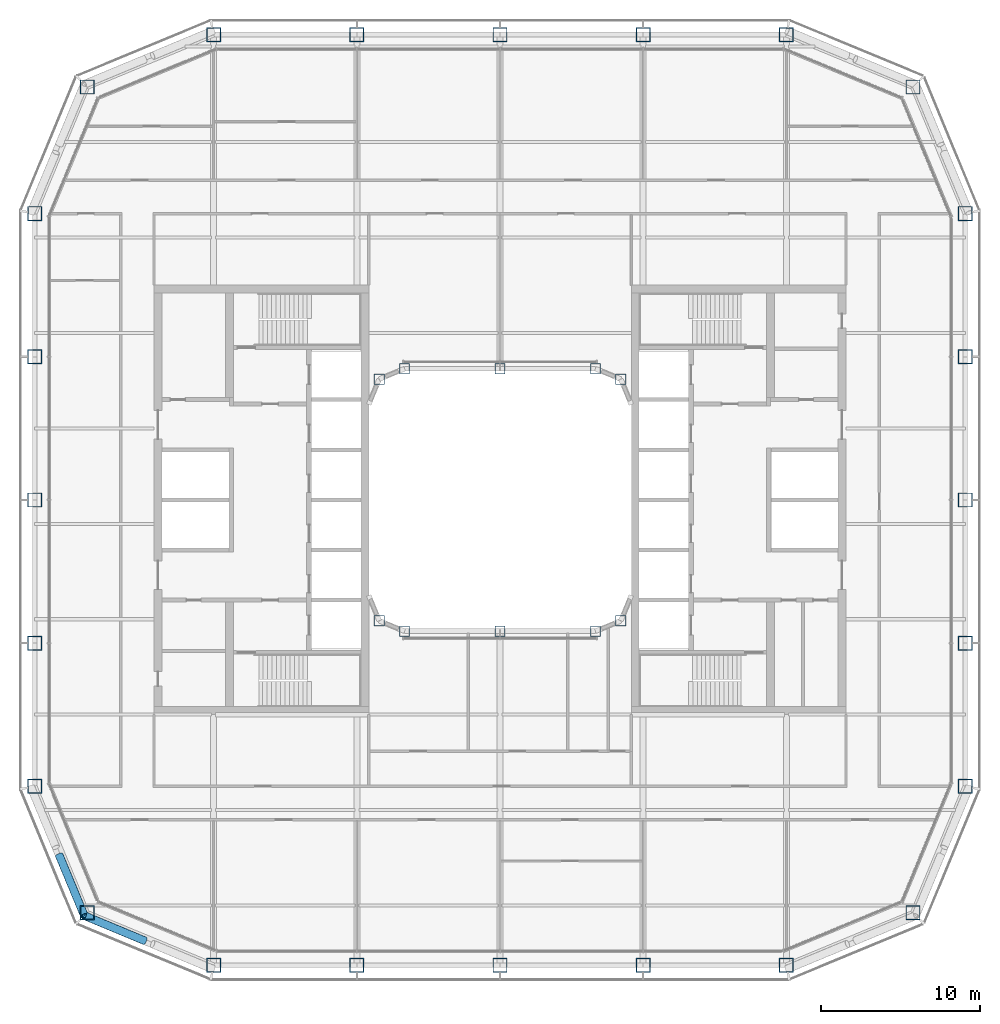
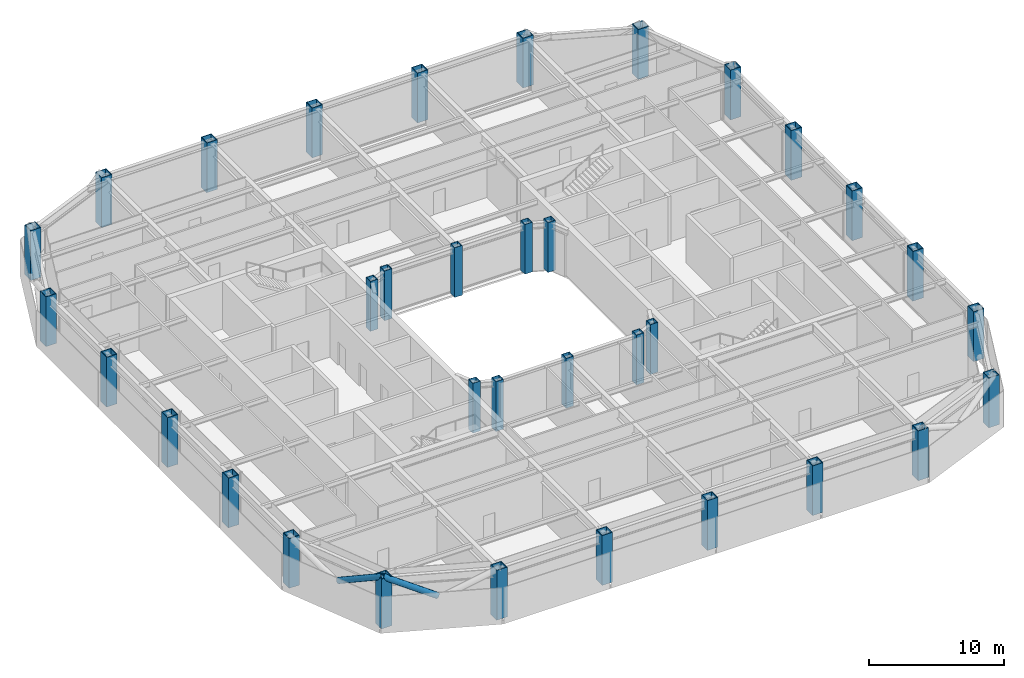
# One storey, part 1 of 21: 34 columns, 2 members.
"""IFC4 building model written with IfcOpenShell, lengths in metres."""

import ifcopenshell
import ifcopenshell.guid

model = None  # the IFC model being written
_history = None  # IfcOwnerHistory: only IFC2X3 demands one
_inside = {}  # id of a spatial element -> (the spatial element, [elements in it])
_under = {}  # id of a project, library or spatial element -> (it, [spatial elements below it])
_declared = {}  # id of a project -> (the project, [libraries it declares])
_typed = {}  # id of a type object -> (the type object, [elements of that type])
_made_of = {}  # id of a material, layer set ... -> (it, [elements and type objects made of it])


def new_model(schema):
    """Start an empty IFC model of exactly this schema.

    Asked for "IFC4X3", IfcOpenShell would pick the latest addendum, in which some entities
    have other attributes; the version numbers below select the first issue.
    IFC2X3 requires an IfcOwnerHistory on every rooted entity: one is made here for all.
    """
    global model, _history
    if schema == "IFC4X3":
        model = ifcopenshell.file(schema_version=(4, 3, 0, 0))
    else:
        model = ifcopenshell.file(schema=schema)
    _inside.clear()
    _under.clear()
    _declared.clear()
    _typed.clear()
    _made_of.clear()
    _history = None
    if model.schema == "IFC2X3":
        org = make("IfcOrganization", Name="unknown")
        user = make(
            "IfcPersonAndOrganization",
            ThePerson=make("IfcPerson", FamilyName="unknown"),
            TheOrganization=org,
        )
        app = make(
            "IfcApplication",
            ApplicationDeveloper=org,
            Version="unknown",
            ApplicationFullName="unknown",
            ApplicationIdentifier="unknown",
        )
        _history = make(
            "IfcOwnerHistory",
            OwningUser=user,
            OwningApplication=app,
            ChangeAction="ADDED",
            CreationDate=0,
        )
    return model


def make(cls, **values):
    """One entity of the class cls with the attributes given. An attribute that is None is left unset."""
    return model.create_entity(
        cls, **{name: value for name, value in values.items() if value is not None}
    )


def rooted(cls, **values):
    """An entity with a GlobalId (a new one), such as an element, a storey or a relation."""
    return make(cls, GlobalId=ifcopenshell.guid.new(), OwnerHistory=_history, **values)


def si_unit(unit_type, name, prefix=None):
    """IfcSIUnit, for example si_unit("LENGTHUNIT", "METRE", prefix="MILLI")."""
    return make("IfcSIUnit", UnitType=unit_type, Prefix=prefix, Name=name)


def assignment(units):
    """IfcUnitAssignment: the units of a project."""
    return None if units is None else make("IfcUnitAssignment", Units=units)


def point(xyz):
    """IfcCartesianPoint."""
    return None if xyz is None else make("IfcCartesianPoint", Coordinates=xyz)


def direction(xyz):
    """IfcDirection."""
    return None if xyz is None else make("IfcDirection", DirectionRatios=xyz)


def frame(location, z_axis=None, x_axis=None):
    """IfcAxis2Placement3D, a coordinate frame: its origin and axes. An axis left out is left unset."""
    return make(
        "IfcAxis2Placement3D",
        Location=point(location),
        Axis=direction(z_axis),
        RefDirection=direction(x_axis),
    )


def frame_2d(location, x_axis=None):
    """IfcAxis2Placement2D, a coordinate frame in the plane: its origin and x axis."""
    return make(
        "IfcAxis2Placement2D", Location=point(location), RefDirection=direction(x_axis)
    )


def origin():
    """The frame at (0, 0, 0) with its axes left unset."""
    return frame((0.0, 0.0, 0.0))


def origin_2d():
    """The frame at (0, 0) in the plane with its x axis left unset."""
    return frame_2d((0.0, 0.0))


def place(relative_to, where):
    """IfcLocalPlacement: puts the frame where relative to a parent placement (None: the world)."""
    return make(
        "IfcLocalPlacement", PlacementRelTo=relative_to, RelativePlacement=where
    )


def context(
    kind, dimensions, precision=None, world=None, true_north=None, identifier=None
):
    """IfcGeometricRepresentationContext, for example the 3D "Model" context."""
    return make(
        "IfcGeometricRepresentationContext",
        ContextIdentifier=identifier,
        ContextType=kind,
        CoordinateSpaceDimension=dimensions,
        Precision=precision,
        WorldCoordinateSystem=world,
        TrueNorth=true_north,
    )


def subcontext(parent, identifier, kind, view, scale=None):
    """IfcGeometricRepresentationSubContext, for example "Body" below "Model"."""
    return make(
        "IfcGeometricRepresentationSubContext",
        ContextIdentifier=identifier,
        ContextType=kind,
        ParentContext=parent,
        TargetScale=scale,
        TargetView=view,
    )


def project(units=None, contexts=None):
    """IfcProject with its units and contexts."""
    return rooted(
        "IfcProject",
        Name="project",
        RepresentationContexts=contexts,
        UnitsInContext=assignment(units),
    )


def spatial(cls, under=None, at=None, **own):
    """A site, building, storey or space (cls), placed at a placement, below another one or the project."""
    s = rooted(cls, ObjectPlacement=at, **own)
    if under is not None:
        _under.setdefault(under.id(), (under, []))[1].append(s)
    return s


def profile(cls, at=None, kind="AREA", **sizes):
    """A parametric profile (cls). Its sizes go by their IFC names, for example OverallWidth=200.0."""
    return make(cls, ProfileType=kind, Position=at, **sizes)


def hollow_rectangle(**sizes):
    """IfcRectangleHollowProfileDef."""
    return profile("IfcRectangleHollowProfileDef", **sizes)


def hollow_circle(**sizes):
    """IfcCircleHollowProfileDef."""
    return profile("IfcCircleHollowProfileDef", **sizes)


def extrude(swept, where, along, depth):
    """IfcExtrudedAreaSolid: the profile swept, set in the frame where, extruded along a direction by depth."""
    return make(
        "IfcExtrudedAreaSolid",
        SweptArea=swept,
        Position=where,
        ExtrudedDirection=direction(along),
        Depth=depth,
    )


def shape(context_of_items, identifier, shape_type, items):
    """IfcShapeRepresentation: the items that make up one representation, for example the "Body"."""
    return make(
        "IfcShapeRepresentation",
        ContextOfItems=context_of_items,
        RepresentationIdentifier=identifier,
        RepresentationType=shape_type,
        Items=items,
    )


def material(Name=None, Category=None):
    """IfcMaterial."""
    return make("IfcMaterial", Name=Name, Category=Category)


def material_profile(
    of_material, cross_section, Name=None, Category=None, Priority=None
):
    """IfcMaterialProfile: a cross section and its material."""
    return make(
        "IfcMaterialProfile",
        Name=Name,
        Material=of_material,
        Profile=cross_section,
        Priority=Priority,
        Category=Category,
    )


def profile_set(profiles, Name=None, composite=None):
    """IfcMaterialProfileSet."""
    return make(
        "IfcMaterialProfileSet",
        Name=Name,
        MaterialProfiles=profiles,
        CompositeProfile=composite,
    )


def made_of(thing, what):
    """Note that an element or type object is made of a material, layer set ...; save() writes the relation."""
    if what is not None:
        _made_of.setdefault(what.id(), (what, []))[1].append(thing)
    return thing


def type_object(cls, material=None, **own):
    """A type object (cls), such as IfcWallType, which elements share."""
    return made_of(rooted(cls, **own), material)


def element(
    cls,
    number,
    at=None,
    inside=None,
    cuts=None,
    type_object=None,
    material=None,
    context=None,
    identifier="Body",
    shape_type=None,
    held_by="IfcProductDefinitionShape",
    body=None,
    shapes=None,
    **own,
):
    """One element of the class cls, such as IfcWall. Its Tag is "e" and its number.

    at: its placement. inside: the storey or other place that contains it. cuts: it is an
    opening in that element (IfcRelVoidsElement). A single representation is given by context,
    identifier, shape_type and body (its items); several are given by shapes. held_by: the class
    of the entity that holds the representations. save() writes the other relations.
    """
    e = rooted(cls, Tag="e%d" % number, ObjectPlacement=at, **own)
    if body is not None:
        shapes = [shape(context, identifier, shape_type, body)]
    if shapes is not None:
        e.Representation = make(held_by, Representations=shapes)
    if inside is not None:
        _inside.setdefault(inside.id(), (inside, []))[1].append(e)
    if cuts is not None:
        rooted(
            "IfcRelVoidsElement", RelatingBuildingElement=cuts, RelatedOpeningElement=e
        )
    if type_object is not None:
        _typed.setdefault(type_object.id(), (type_object, []))[1].append(e)
    return made_of(e, material)


def aggregate(whole, parts):
    """IfcRelAggregates: a whole, such as a stair, and the parts it consists of."""
    return rooted("IfcRelAggregates", RelatingObject=whole, RelatedObjects=parts)


def save(model, path):
    """Write the relations noted so far, then the file.

    IfcRelAggregates (storeys below a building ...), IfcRelContainedInSpatialStructure (elements
    in a storey), IfcRelDefinesByType, IfcRelAssociatesMaterial and IfcRelDeclares: one each for
    every whole, place, type object, material and project.
    """
    for whole, parts in _under.values():
        aggregate(whole, parts)
    for where, things in _inside.values():
        rooted(
            "IfcRelContainedInSpatialStructure",
            RelatedElements=things,
            RelatingStructure=where,
        )
    for kind, things in _typed.values():
        rooted("IfcRelDefinesByType", RelatedObjects=things, RelatingType=kind)
    for what, things in _made_of.values():
        rooted("IfcRelAssociatesMaterial", RelatedObjects=things, RelatingMaterial=what)
    for by, libraries in _declared.values():
        rooted("IfcRelDeclares", RelatingContext=by, RelatedDefinitions=libraries)
    model.write(path)


model = new_model("IFC4")

# Units and contexts
model_context = context("Model", 3, precision=1e-05, world=origin(), true_north=direction((0.0, 1.0)))
body_context = subcontext(model_context, "Body", "Model", "MODEL_VIEW")
ifc_project = project(units=[si_unit("LENGTHUNIT", "METRE"), si_unit("AREAUNIT", "SQUARE_METRE"), si_unit("VOLUMEUNIT", "CUBIC_METRE"), si_unit("PLANEANGLEUNIT", "RADIAN"), si_unit("MASSUNIT", "GRAM", prefix="KILO")], contexts=[model_context])

# Site, building, storey
site_placement = place(None, origin())
site = spatial("IfcSite", under=ifc_project, at=site_placement, CompositionType="ELEMENT")
building_placement = place(site_placement, origin())
building = spatial("IfcBuilding", under=site, at=building_placement, Name="Siwar Civic Tower", CompositionType="ELEMENT")
storey_placement = place(building_placement, frame((0.0, 0.0, 158.699951171875)))
storey = spatial("IfcBuildingStorey", under=building, at=storey_placement, Name="L34", CompositionType="ELEMENT", Elevation=158.699951171875)

# Columns
ifc_material_1 = material(Name="Steel S355", Category="steel")
ifc_material_profile_1 = material_profile(ifc_material_1, hollow_rectangle(XDim=0.89990234375, YDim=0.89990234375, WallThickness=0.050048828125, at=origin_2d()), Name="BOX900x900x50")
ifc_profile_set_1 = profile_set([ifc_material_profile_1], Name="Steel S355")
column_type_1 = type_object("IfcColumnType", Name="STR-COL-BOX900x900x50", PredefinedType="COLUMN", material=ifc_profile_set_1)
for number, where, z_axis, x_axis, name in (
    (1, (-18.0, -29.25, 0.0), (0.0, 0.0, 1.0), (1.0, 0.0, 0.0), "L34/col/S-0"),
    (2, (-9.0, -29.25, 0.0), (0.0, 0.0, 1.0), (1.0, 0.0, 0.0), "L34/col/S-1"),
    (3, (0.0, -29.25, 0.0), (0.0, 0.0, 1.0), (1.0, 0.0, 0.0), "L34/col/S-2"),
    (4, (9.0, -29.25, 0.0), (0.0, 0.0, 1.0), (1.0, 0.0, 0.0), "L34/col/S-3"),
    (5, (18.0, -29.25, 0.0), (0.0, 0.0, 1.0), (1.0, 0.0, 0.0), "L34/col/SE1-0"),
    (6, (25.954833984375, -25.954833984375, 0.0), (0.0, 0.0, 1.0), (1.0, 0.0, 0.0), "L34/col/SE2-0"),
    (7, (29.25, -18.0, 0.0), (0.0, 0.0, 1.0), (1.0, 0.0, 0.0), "L34/col/E-0"),
    (8, (29.25, -9.0, 0.0), (0.0, 0.0, 1.0), (1.0, 0.0, 0.0), "L34/col/E-1"),
    (9, (29.25, 0.0, 0.0), (0.0, 0.0, 1.0), (1.0, 0.0, 0.0), "L34/col/E-2"),
    (10, (29.25, 9.0, 0.0), (0.0, 0.0, 1.0), (1.0, 0.0, 0.0), "L34/col/E-3"),
    (11, (29.25, 18.0, 0.0), (0.0, 0.0, 1.0), (1.0, 0.0, 0.0), "L34/col/NE1-0"),
    (12, (25.954833984375, 25.954833984375, 0.0), (0.0, 0.0, 1.0), (1.0, 0.0, 0.0), "L34/col/NE2-0"),
    (13, (18.0, 29.25, 0.0), (0.0, 0.0, 1.0), (1.0, 0.0, 0.0), "L34/col/N-0"),
    (14, (9.0, 29.25, 0.0), (0.0, 0.0, 1.0), (1.0, 0.0, 0.0), "L34/col/N-1"),
    (15, (0.0, 29.25, 0.0), (0.0, 0.0, 1.0), (1.0, 0.0, 0.0), "L34/col/N-2"),
    (16, (-9.0, 29.25, 0.0), (0.0, 0.0, 1.0), (1.0, 0.0, 0.0), "L34/col/N-3"),
    (17, (-18.0, 29.25, 0.0), (0.0, 0.0, 1.0), (1.0, 0.0, 0.0), "L34/col/NW1-0"),
    (18, (-25.954833984375, 25.954833984375, 0.0), (0.0, 0.0, 1.0), (1.0, 0.0, 0.0), "L34/col/NW2-0"),
    (19, (-29.25, 18.0, 0.0), (0.0, 0.0, 1.0), (1.0, 0.0, 0.0), "L34/col/W-0"),
    (20, (-29.25, 9.0, 0.0), (0.0, 0.0, 1.0), (1.0, 0.0, 0.0), "L34/col/W-1"),
    (21, (-29.25, 0.0, 0.0), (0.0, 0.0, 1.0), (1.0, 0.0, 0.0), "L34/col/W-2"),
    (22, (-29.25, -9.0, 0.0), (0.0, 0.0, 1.0), (1.0, 0.0, 0.0), "L34/col/W-3"),
    (23, (-29.25, -18.0, 0.0), (0.0, 0.0, 1.0), (1.0, 0.0, 0.0), "L34/col/SW1-0"),
    (24, (-25.954833984375, -25.954833984375, 0.0), (0.0, 0.0, 1.0), (1.0, 0.0, 0.0), "L34/col/SW2-0"),
):
    element("IfcColumn", number, at=place(storey_placement, frame(where, z_axis=z_axis, x_axis=x_axis)), inside=storey, type_object=column_type_1, Name=name, PredefinedType="COLUMN", context=body_context, shape_type="SweptSolid", body=[
        extrude(hollow_rectangle(XDim=0.89990234375, YDim=0.89990234375, WallThickness=0.050048828125, at=origin_2d()), origin(), (0.0, 0.0, 1.0), 4.5),
    ])
ifc_material_2 = material(Name="Steel S355", Category="steel")
ifc_material_profile_2 = material_profile(ifc_material_2, hollow_rectangle(XDim=0.64990234375, YDim=0.64990234375, WallThickness=0.035888671875, at=origin_2d()), Name="BOX650x650x36")
ifc_profile_set_2 = profile_set([ifc_material_profile_2], Name="Steel S355")
column_type_2 = type_object("IfcColumnType", Name="STR-ICOL-BOX650x650x36", PredefinedType="COLUMN", material=ifc_profile_set_2)
for number, where, z_axis, x_axis, name in (
    (25, (-7.591064453125, -7.591064453125, 0.0), (0.0, 0.0, 1.0), (1.0, 0.0, 0.0), "L34/col/IS-0"),
    (26, (-6.0, -8.25, 0.0), (0.0, 0.0, 1.0), (1.0, 0.0, 0.0), "L34/col/IS-1"),
    (27, (0.0, -8.25, 0.0), (0.0, 0.0, 1.0), (1.0, 0.0, 0.0), "L34/col/IS-2"),
    (28, (6.0, -8.25, 0.0), (0.0, 0.0, 1.0), (1.0, 0.0, 0.0), "L34/col/IS-3"),
    (29, (7.591064453125, -7.591064453125, 0.0), (0.0, 0.0, 1.0), (1.0, 0.0, 0.0), "L34/col/IS-4"),
    (30, (-7.591064453125, 7.591064453125, 0.0), (0.0, 0.0, 1.0), (1.0, 0.0, 0.0), "L34/col/IN-0"),
    (31, (-6.0, 8.25, 0.0), (0.0, 0.0, 1.0), (1.0, 0.0, 0.0), "L34/col/IN-1"),
    (32, (0.0, 8.25, 0.0), (0.0, 0.0, 1.0), (1.0, 0.0, 0.0), "L34/col/IN-2"),
    (33, (6.0, 8.25, 0.0), (0.0, 0.0, 1.0), (1.0, 0.0, 0.0), "L34/col/IN-3"),
    (34, (7.591064453125, 7.591064453125, 0.0), (0.0, 0.0, 1.0), (1.0, 0.0, 0.0), "L34/col/IN-4"),
):
    element("IfcColumn", number, at=place(storey_placement, frame(where, z_axis=z_axis, x_axis=x_axis)), inside=storey, type_object=column_type_2, Name=name, PredefinedType="COLUMN", context=body_context, shape_type="SweptSolid", body=[
        extrude(hollow_rectangle(XDim=0.64990234375, YDim=0.64990234375, WallThickness=0.035888671875, at=origin_2d()), origin(), (0.0, 0.0, 1.0), 4.5),
    ])

# Members
ifc_material_3 = material(Name="Steel S355", Category="steel")
ifc_material_profile_3 = material_profile(ifc_material_3, hollow_circle(Radius=0.25390625, WallThickness=0.02490234375, at=origin_2d()), Name="CHS508x25")
ifc_profile_set_3 = profile_set([ifc_material_profile_3], Name="Steel S355")
member_type = type_object("IfcMemberType", Name="STR-BR-CHS508x25", PredefinedType="BRACE", material=ifc_profile_set_3)
for number, where, z_axis, x_axis, name in (
    (35, (-22.342529296875, -27.70849609375, 2.390625), (-0.821163134736, 0.341670737976, 0.457112910516), (-0.384154943021, -0.923268638995, 0.0), "L34/brc/BSW1-13-0-3"),
    (36, (-27.70849609375, -22.342529296875, 2.390625), (0.341670737976, -0.821163134736, 0.457112910516), (0.923268638995, 0.384154943021, 0.0), "L34/brc/BSW1-13-0-5"),
):
    element("IfcMember", number, at=place(storey_placement, frame(where, z_axis=z_axis, x_axis=x_axis)), inside=storey, type_object=member_type, Name=name, PredefinedType="BRACE", context=body_context, shape_type="SweptSolid", body=[
        extrude(hollow_circle(Radius=0.25390625, WallThickness=0.02490234375, at=origin_2d()), origin(), (0.0, 0.0, 1.0), 4.614501953125),
    ])

save(model, "model.ifc")
